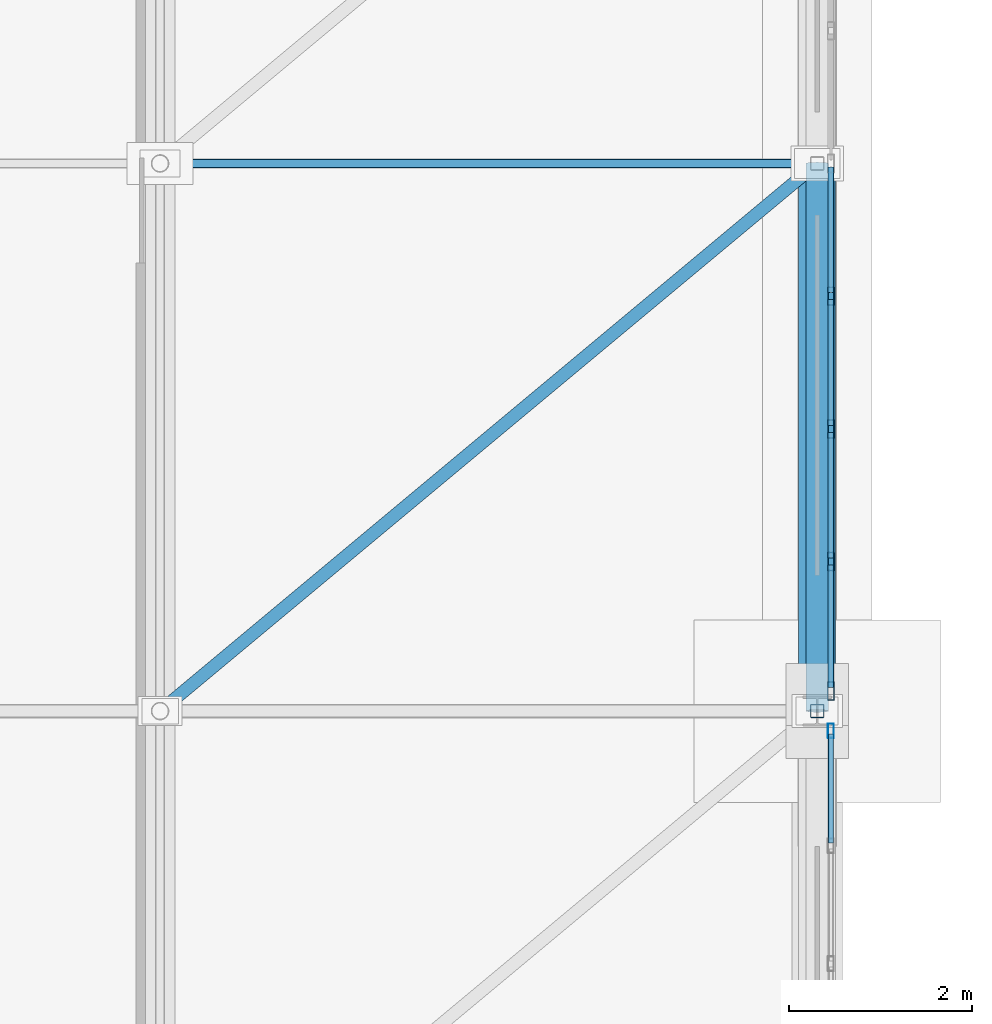
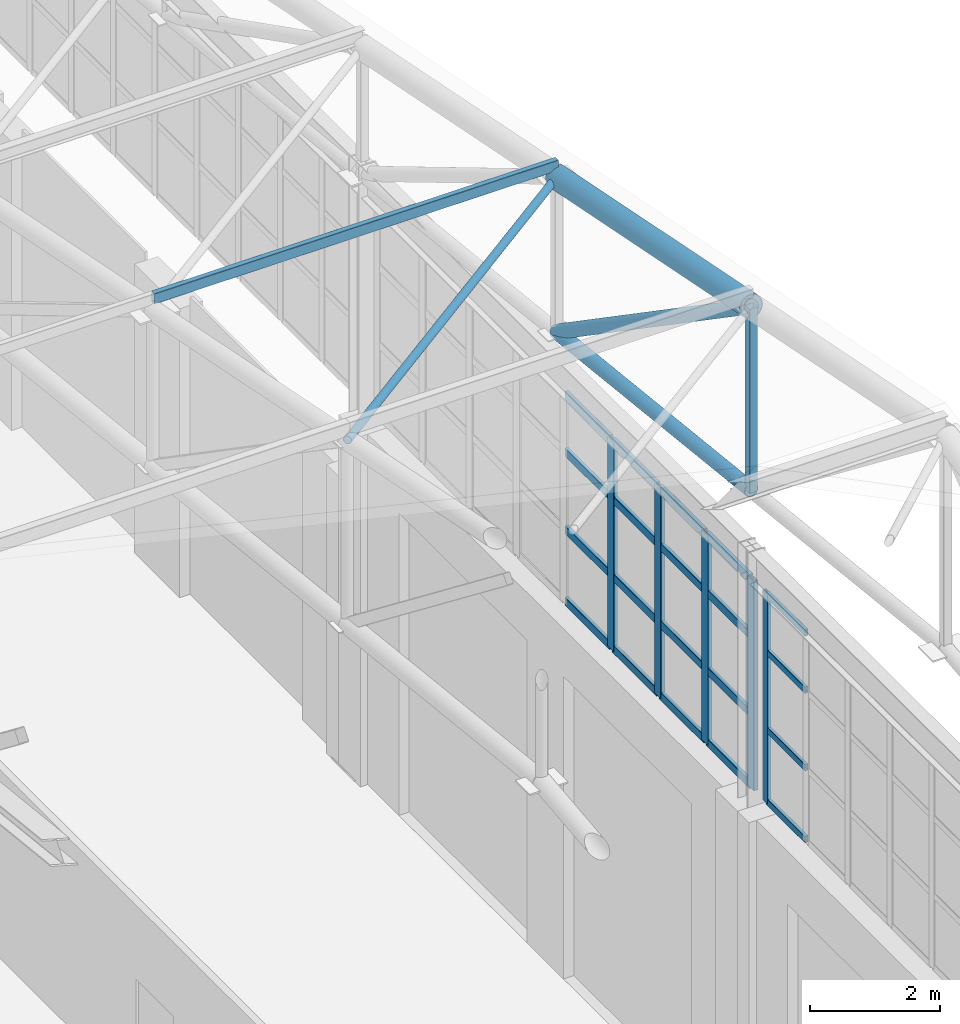
# One storey, part 195 of 293: 31 members, 2 elements without a shape of their own.
"""IFC4 building model written with IfcOpenShell, lengths in metres."""

from ifc_helpers import new_model, si_unit, direction, frame, origin, origin_2d, place, context, subcontext, project, spatial, hollow_rectangle, hollow_circle, extrude, material, layer, layer_set, material_profile, profile_set, type_object, element, aggregate, save


model = new_model("IFC4")

# Units and contexts
model_context = context("Model", 3, precision=1e-05, world=origin(), true_north=direction((0.0, 1.0)))
body_context = subcontext(model_context, "Body", "Model", "MODEL_VIEW")
ifc_project = project(units=[si_unit("LENGTHUNIT", "METRE"), si_unit("AREAUNIT", "SQUARE_METRE"), si_unit("VOLUMEUNIT", "CUBIC_METRE"), si_unit("PLANEANGLEUNIT", "RADIAN"), si_unit("MASSUNIT", "GRAM", prefix="KILO")], contexts=[model_context])

# Site, building, storey
site_placement = place(None, origin())
site = spatial("IfcSite", under=ifc_project, at=site_placement, CompositionType="ELEMENT")
building_placement = place(site_placement, origin())
building = spatial("IfcBuilding", under=site, at=building_placement, Name="Kemerveld Promenade Tramway Depot", CompositionType="ELEMENT")
storey_placement = place(building_placement, origin())
storey = spatial("IfcBuildingStorey", under=building, at=storey_placement, Name="L00", CompositionType="ELEMENT", Elevation=0.0)

# Curtain wall, member
ifc_material_1 = material(Name="Bronze anodised aluminium and solar glass", Category="aluminium")
ifc_layer_1 = layer(ifc_material_1, 0.159912109375)
ifc_layer_set_1 = layer_set([ifc_layer_1], Name="CW-SYS-13")
curtain_wall_type_1 = type_object("IfcCurtainWallType", Name="CW-SYS-13", PredefinedType="USERDEFINED", material=ifc_layer_set_1)
curtain_wall_1_placement = place(storey_placement, origin())
curtain_wall_1 = element("IfcCurtainWall", 1, at=curtain_wall_1_placement, inside=storey, type_object=curtain_wall_type_1, Name="CW-V1-E-03", ObjectType="GLAZED_CURTAIN_WALL", PredefinedType="USERDEFINED")
ifc_material_2 = material(Name="Bronze anodised aluminium", Category="aluminium")
ifc_material_profile_1 = material_profile(ifc_material_2, hollow_rectangle(XDim=0.06494140625, YDim=0.159912109375, WallThickness=0.00390625, InnerFilletRadius=0.001953125, OuterFilletRadius=0.00390625, at=origin_2d()), Name="CW-MUL-160x65")
ifc_profile_set_1 = profile_set([ifc_material_profile_1], Name="Bronze anodised aluminium")
member_type_1 = type_object("IfcMemberType", Name="CW-MUL-A", PredefinedType="MULLION", material=ifc_profile_set_1)
member_1_placement = place(storey_placement, frame((187.35009765625, 119.783935546875, 6.64990234375), z_axis=(0.0, 0.0, 1.0), x_axis=(1.0, 0.0, 0.0)))
member_1 = element("IfcMember", 2, at=member_1_placement, type_object=member_type_1, Name="CW13 mullion 1", PredefinedType="MULLION", context=body_context, shape_type="SweptSolid", body=[
    extrude(hollow_rectangle(XDim=0.06494140625, YDim=0.159912109375, WallThickness=0.00390625, InnerFilletRadius=0.001953125, OuterFilletRadius=0.00390625, at=origin_2d()), origin(), (0.0, 0.0, 1.0), 3.9501953125),
])

# Curtain wall, members
ifc_layer_2 = layer(ifc_material_1, 0.199951171875)
ifc_layer_set_2 = layer_set([ifc_layer_2], Name="CW-SYS-14")
curtain_wall_type_2 = type_object("IfcCurtainWallType", Name="CW-SYS-14", PredefinedType="USERDEFINED", material=ifc_layer_set_2)
curtain_wall_2_placement = place(storey_placement, origin())
curtain_wall_2 = element("IfcCurtainWall", 3, at=curtain_wall_2_placement, inside=storey, type_object=curtain_wall_type_2, Name="CW-V1-E-04", ObjectType="GLAZED_CURTAIN_WALL", PredefinedType="USERDEFINED")
ifc_material_profile_2 = material_profile(ifc_material_2, hollow_rectangle(XDim=0.074951171875, YDim=0.199951171875, WallThickness=0.0048828125, InnerFilletRadius=0.001953125, OuterFilletRadius=0.0048828125, at=origin_2d()), Name="CW-MUL-200x75")
ifc_profile_set_2 = profile_set([ifc_material_profile_2], Name="Bronze anodised aluminium")
member_type_2 = type_object("IfcMemberType", Name="CW-MUL-B", PredefinedType="MULLION", material=ifc_profile_set_2)
member_2_placement = place(storey_placement, frame((187.35009765625, 124.5458984375, 6.64990234375), z_axis=(0.0, 0.0, 1.0), x_axis=(1.0, 0.0, 0.0)))
member_2 = element("IfcMember", 4, at=member_2_placement, type_object=member_type_2, Name="CW14 mullion 6", PredefinedType="MULLION", context=body_context, shape_type="SweptSolid", body=[
    extrude(hollow_rectangle(XDim=0.074951171875, YDim=0.199951171875, WallThickness=0.0048828125, InnerFilletRadius=0.001953125, OuterFilletRadius=0.0048828125, at=origin_2d()), origin(), (0.0, 0.0, 1.0), 3.9501953125),
])
member_3_placement = place(storey_placement, frame((187.35009765625, 123.091796875, 6.64990234375), z_axis=(0.0, 0.0, 1.0), x_axis=(1.0, 0.0, 0.0)))
member_3 = element("IfcMember", 5, at=member_3_placement, type_object=member_type_2, Name="CW14 mullion 7", PredefinedType="MULLION", context=body_context, shape_type="SweptSolid", body=[
    extrude(hollow_rectangle(XDim=0.074951171875, YDim=0.199951171875, WallThickness=0.0048828125, InnerFilletRadius=0.001953125, OuterFilletRadius=0.0048828125, at=origin_2d()), origin(), (0.0, 0.0, 1.0), 3.9501953125),
])
member_4_placement = place(storey_placement, frame((187.35009765625, 121.6376953125, 6.64990234375), z_axis=(0.0, 0.0, 1.0), x_axis=(1.0, 0.0, 0.0)))
member_4 = element("IfcMember", 6, at=member_4_placement, type_object=member_type_2, Name="CW14 mullion 8", PredefinedType="MULLION", context=body_context, shape_type="SweptSolid", body=[
    extrude(hollow_rectangle(XDim=0.074951171875, YDim=0.199951171875, WallThickness=0.0048828125, InnerFilletRadius=0.001953125, OuterFilletRadius=0.0048828125, at=origin_2d()), origin(), (0.0, 0.0, 1.0), 3.9501953125),
])
member_5_placement = place(storey_placement, frame((187.35009765625, 120.220947265625, 6.64990234375), z_axis=(0.0, 0.0, 1.0), x_axis=(1.0, 0.0, 0.0)))
member_5 = element("IfcMember", 7, at=member_5_placement, type_object=member_type_2, Name="CW14 mullion 9", PredefinedType="MULLION", context=body_context, shape_type="SweptSolid", body=[
    extrude(hollow_rectangle(XDim=0.074951171875, YDim=0.199951171875, WallThickness=0.0048828125, InnerFilletRadius=0.001953125, OuterFilletRadius=0.0048828125, at=origin_2d()), origin(), (0.0, 0.0, 1.0), 3.9501953125),
])

# Member
ifc_material_profile_3 = material_profile(ifc_material_2, hollow_rectangle(XDim=0.06005859375, YDim=0.1201171875, WallThickness=0.00390625, InnerFilletRadius=0.001953125, OuterFilletRadius=0.00390625, at=origin_2d()), Name="CW-TRN-120x60")
ifc_profile_set_3 = profile_set([ifc_material_profile_3], Name="Bronze anodised aluminium")
member_type_3 = type_object("IfcMemberType", Name="CW-TRN-A", PredefinedType="USERDEFINED", material=ifc_profile_set_3)
member_6_placement = place(storey_placement, frame((187.35009765625, 119.75146484375, 6.679931640625), z_axis=(0.0, -1.0, 0.0), x_axis=(1.0, 0.0, 0.0)))
member_6 = element("IfcMember", 8, at=member_6_placement, type_object=member_type_3, Name="CW13 transom 1.1", ObjectType="TRANSOM", PredefinedType="USERDEFINED", context=body_context, shape_type="SweptSolid", body=[
    extrude(hollow_rectangle(XDim=0.06005859375, YDim=0.1201171875, WallThickness=0.00390625, InnerFilletRadius=0.001953125, OuterFilletRadius=0.00390625, at=origin_2d()), origin(), (0.0, 0.0, 1.0), 1.195068359375),
])

member_7_placement = place(storey_placement, frame((187.35009765625, 119.75146484375, 8.032958984375), z_axis=(0.0, -1.0, 0.0), x_axis=(1.0, 0.0, 0.0)))
member_7 = element("IfcMember", 9, at=member_7_placement, type_object=member_type_3, Name="CW13 transom 1.2", ObjectType="TRANSOM", PredefinedType="USERDEFINED", context=body_context, shape_type="SweptSolid", body=[
    extrude(hollow_rectangle(XDim=0.06005859375, YDim=0.1201171875, WallThickness=0.00390625, InnerFilletRadius=0.001953125, OuterFilletRadius=0.00390625, at=origin_2d()), origin(), (0.0, 0.0, 1.0), 1.195068359375),
])

member_8_placement = place(storey_placement, frame((187.35009765625, 119.75146484375, 9.493896484375), z_axis=(0.0, -1.0, 0.0), x_axis=(1.0, 0.0, 0.0)))
member_8 = element("IfcMember", 10, at=member_8_placement, type_object=member_type_3, Name="CW13 transom 1.3", ObjectType="TRANSOM", PredefinedType="USERDEFINED", context=body_context, shape_type="SweptSolid", body=[
    extrude(hollow_rectangle(XDim=0.06005859375, YDim=0.1201171875, WallThickness=0.00390625, InnerFilletRadius=0.001953125, OuterFilletRadius=0.00390625, at=origin_2d()), origin(), (0.0, 0.0, 1.0), 1.195068359375),
])

member_9_placement = place(storey_placement, frame((187.35009765625, 119.75146484375, 10.570068359375), z_axis=(0.0, -1.0, 0.0), x_axis=(1.0, 0.0, 0.0)))
member_9 = element("IfcMember", 11, at=member_9_placement, type_object=member_type_3, Name="CW13 transom 1.4", ObjectType="TRANSOM", PredefinedType="USERDEFINED", context=body_context, shape_type="SweptSolid", body=[
    extrude(hollow_rectangle(XDim=0.06005859375, YDim=0.1201171875, WallThickness=0.00390625, InnerFilletRadius=0.001953125, OuterFilletRadius=0.00390625, at=origin_2d()), origin(), (0.0, 0.0, 1.0), 1.195068359375),
])

aggregate(curtain_wall_1, [member_1, member_6, member_7, member_8, member_9])

ifc_material_profile_4 = material_profile(ifc_material_2, hollow_rectangle(XDim=0.06494140625, YDim=0.14990234375, WallThickness=0.00439453125, InnerFilletRadius=0.001953125, OuterFilletRadius=0.00439453125, at=origin_2d()), Name="CW-TRN-150x65")
ifc_profile_set_4 = profile_set([ifc_material_profile_4], Name="Bronze anodised aluminium")
member_type_4 = type_object("IfcMemberType", Name="CW-TRN-B", PredefinedType="USERDEFINED", material=ifc_profile_set_4)
member_10_placement = place(storey_placement, frame((187.35009765625, 125.96240234375, 6.6826171875), z_axis=(0.0, -1.0, 0.0), x_axis=(1.0, 0.0, 0.0)))
member_10 = element("IfcMember", 12, at=member_10_placement, type_object=member_type_4, Name="CW14 transom 5.1", ObjectType="TRANSOM", PredefinedType="USERDEFINED", context=body_context, shape_type="SweptSolid", body=[
    extrude(hollow_rectangle(XDim=0.06494140625, YDim=0.14990234375, WallThickness=0.00439453125, InnerFilletRadius=0.001953125, OuterFilletRadius=0.00439453125, at=origin_2d()), origin(), (0.0, 0.0, 1.0), 1.37890625),
])

member_11_placement = place(storey_placement, frame((187.35009765625, 125.96240234375, 8.032958984375), z_axis=(0.0, -1.0, 0.0), x_axis=(1.0, 0.0, 0.0)))
member_11 = element("IfcMember", 13, at=member_11_placement, type_object=member_type_4, Name="CW14 transom 5.2", ObjectType="TRANSOM", PredefinedType="USERDEFINED", context=body_context, shape_type="SweptSolid", body=[
    extrude(hollow_rectangle(XDim=0.06494140625, YDim=0.14990234375, WallThickness=0.00439453125, InnerFilletRadius=0.001953125, OuterFilletRadius=0.00439453125, at=origin_2d()), origin(), (0.0, 0.0, 1.0), 1.37890625),
])

member_12_placement = place(storey_placement, frame((187.35009765625, 125.96240234375, 9.493896484375), z_axis=(0.0, -1.0, 0.0), x_axis=(1.0, 0.0, 0.0)))
member_12 = element("IfcMember", 14, at=member_12_placement, type_object=member_type_4, Name="CW14 transom 5.3", ObjectType="TRANSOM", PredefinedType="USERDEFINED", context=body_context, shape_type="SweptSolid", body=[
    extrude(hollow_rectangle(XDim=0.06494140625, YDim=0.14990234375, WallThickness=0.00439453125, InnerFilletRadius=0.001953125, OuterFilletRadius=0.00439453125, at=origin_2d()), origin(), (0.0, 0.0, 1.0), 1.37890625),
])

member_13_placement = place(storey_placement, frame((187.35009765625, 125.96240234375, 10.5673828125), z_axis=(0.0, -1.0, 0.0), x_axis=(1.0, 0.0, 0.0)))
member_13 = element("IfcMember", 15, at=member_13_placement, type_object=member_type_4, Name="CW14 transom 5.4", ObjectType="TRANSOM", PredefinedType="USERDEFINED", context=body_context, shape_type="SweptSolid", body=[
    extrude(hollow_rectangle(XDim=0.06494140625, YDim=0.14990234375, WallThickness=0.00439453125, InnerFilletRadius=0.001953125, OuterFilletRadius=0.00439453125, at=origin_2d()), origin(), (0.0, 0.0, 1.0), 1.37890625),
])

member_14_placement = place(storey_placement, frame((187.35009765625, 124.50830078125, 6.6826171875), z_axis=(0.0, -1.0, 0.0), x_axis=(1.0, 0.0, 0.0)))
member_14 = element("IfcMember", 16, at=member_14_placement, type_object=member_type_4, Name="CW14 transom 6.1", ObjectType="TRANSOM", PredefinedType="USERDEFINED", context=body_context, shape_type="SweptSolid", body=[
    extrude(hollow_rectangle(XDim=0.06494140625, YDim=0.14990234375, WallThickness=0.00439453125, InnerFilletRadius=0.001953125, OuterFilletRadius=0.00439453125, at=origin_2d()), origin(), (0.0, 0.0, 1.0), 1.379150390625),
])

member_15_placement = place(storey_placement, frame((187.35009765625, 124.50830078125, 8.032958984375), z_axis=(0.0, -1.0, 0.0), x_axis=(1.0, 0.0, 0.0)))
member_15 = element("IfcMember", 17, at=member_15_placement, type_object=member_type_4, Name="CW14 transom 6.2", ObjectType="TRANSOM", PredefinedType="USERDEFINED", context=body_context, shape_type="SweptSolid", body=[
    extrude(hollow_rectangle(XDim=0.06494140625, YDim=0.14990234375, WallThickness=0.00439453125, InnerFilletRadius=0.001953125, OuterFilletRadius=0.00439453125, at=origin_2d()), origin(), (0.0, 0.0, 1.0), 1.379150390625),
])

member_16_placement = place(storey_placement, frame((187.35009765625, 124.50830078125, 9.493896484375), z_axis=(0.0, -1.0, 0.0), x_axis=(1.0, 0.0, 0.0)))
member_16 = element("IfcMember", 18, at=member_16_placement, type_object=member_type_4, Name="CW14 transom 6.3", ObjectType="TRANSOM", PredefinedType="USERDEFINED", context=body_context, shape_type="SweptSolid", body=[
    extrude(hollow_rectangle(XDim=0.06494140625, YDim=0.14990234375, WallThickness=0.00439453125, InnerFilletRadius=0.001953125, OuterFilletRadius=0.00439453125, at=origin_2d()), origin(), (0.0, 0.0, 1.0), 1.379150390625),
])

member_17_placement = place(storey_placement, frame((187.35009765625, 124.50830078125, 10.5673828125), z_axis=(0.0, -1.0, 0.0), x_axis=(1.0, 0.0, 0.0)))
member_17 = element("IfcMember", 19, at=member_17_placement, type_object=member_type_4, Name="CW14 transom 6.4", ObjectType="TRANSOM", PredefinedType="USERDEFINED", context=body_context, shape_type="SweptSolid", body=[
    extrude(hollow_rectangle(XDim=0.06494140625, YDim=0.14990234375, WallThickness=0.00439453125, InnerFilletRadius=0.001953125, OuterFilletRadius=0.00439453125, at=origin_2d()), origin(), (0.0, 0.0, 1.0), 1.379150390625),
])

member_18_placement = place(storey_placement, frame((187.35009765625, 123.05419921875, 6.6826171875), z_axis=(0.0, -1.0, 0.0), x_axis=(1.0, 0.0, 0.0)))
member_18 = element("IfcMember", 20, at=member_18_placement, type_object=member_type_4, Name="CW14 transom 7.1", ObjectType="TRANSOM", PredefinedType="USERDEFINED", context=body_context, shape_type="SweptSolid", body=[
    extrude(hollow_rectangle(XDim=0.06494140625, YDim=0.14990234375, WallThickness=0.00439453125, InnerFilletRadius=0.001953125, OuterFilletRadius=0.00439453125, at=origin_2d()), origin(), (0.0, 0.0, 1.0), 1.379150390625),
])

member_19_placement = place(storey_placement, frame((187.35009765625, 123.05419921875, 8.032958984375), z_axis=(0.0, -1.0, 0.0), x_axis=(1.0, 0.0, 0.0)))
member_19 = element("IfcMember", 21, at=member_19_placement, type_object=member_type_4, Name="CW14 transom 7.2", ObjectType="TRANSOM", PredefinedType="USERDEFINED", context=body_context, shape_type="SweptSolid", body=[
    extrude(hollow_rectangle(XDim=0.06494140625, YDim=0.14990234375, WallThickness=0.00439453125, InnerFilletRadius=0.001953125, OuterFilletRadius=0.00439453125, at=origin_2d()), origin(), (0.0, 0.0, 1.0), 1.379150390625),
])

member_20_placement = place(storey_placement, frame((187.35009765625, 123.05419921875, 9.493896484375), z_axis=(0.0, -1.0, 0.0), x_axis=(1.0, 0.0, 0.0)))
member_20 = element("IfcMember", 22, at=member_20_placement, type_object=member_type_4, Name="CW14 transom 7.3", ObjectType="TRANSOM", PredefinedType="USERDEFINED", context=body_context, shape_type="SweptSolid", body=[
    extrude(hollow_rectangle(XDim=0.06494140625, YDim=0.14990234375, WallThickness=0.00439453125, InnerFilletRadius=0.001953125, OuterFilletRadius=0.00439453125, at=origin_2d()), origin(), (0.0, 0.0, 1.0), 1.379150390625),
])

member_21_placement = place(storey_placement, frame((187.35009765625, 123.05419921875, 10.5673828125), z_axis=(0.0, -1.0, 0.0), x_axis=(1.0, 0.0, 0.0)))
member_21 = element("IfcMember", 23, at=member_21_placement, type_object=member_type_4, Name="CW14 transom 7.4", ObjectType="TRANSOM", PredefinedType="USERDEFINED", context=body_context, shape_type="SweptSolid", body=[
    extrude(hollow_rectangle(XDim=0.06494140625, YDim=0.14990234375, WallThickness=0.00439453125, InnerFilletRadius=0.001953125, OuterFilletRadius=0.00439453125, at=origin_2d()), origin(), (0.0, 0.0, 1.0), 1.379150390625),
])

member_22_placement = place(storey_placement, frame((187.35009765625, 121.60009765625, 6.6826171875), z_axis=(0.0, -1.0, 0.0), x_axis=(1.0, 0.0, 0.0)))
member_22 = element("IfcMember", 24, at=member_22_placement, type_object=member_type_4, Name="CW14 transom 8.1", ObjectType="TRANSOM", PredefinedType="USERDEFINED", context=body_context, shape_type="SweptSolid", body=[
    extrude(hollow_rectangle(XDim=0.06494140625, YDim=0.14990234375, WallThickness=0.00439453125, InnerFilletRadius=0.001953125, OuterFilletRadius=0.00439453125, at=origin_2d()), origin(), (0.0, 0.0, 1.0), 1.341552734375),
])

member_23_placement = place(storey_placement, frame((187.35009765625, 121.60009765625, 8.032958984375), z_axis=(0.0, -1.0, 0.0), x_axis=(1.0, 0.0, 0.0)))
member_23 = element("IfcMember", 25, at=member_23_placement, type_object=member_type_4, Name="CW14 transom 8.2", ObjectType="TRANSOM", PredefinedType="USERDEFINED", context=body_context, shape_type="SweptSolid", body=[
    extrude(hollow_rectangle(XDim=0.06494140625, YDim=0.14990234375, WallThickness=0.00439453125, InnerFilletRadius=0.001953125, OuterFilletRadius=0.00439453125, at=origin_2d()), origin(), (0.0, 0.0, 1.0), 1.341552734375),
])

member_24_placement = place(storey_placement, frame((187.35009765625, 121.60009765625, 9.493896484375), z_axis=(0.0, -1.0, 0.0), x_axis=(1.0, 0.0, 0.0)))
member_24 = element("IfcMember", 26, at=member_24_placement, type_object=member_type_4, Name="CW14 transom 8.3", ObjectType="TRANSOM", PredefinedType="USERDEFINED", context=body_context, shape_type="SweptSolid", body=[
    extrude(hollow_rectangle(XDim=0.06494140625, YDim=0.14990234375, WallThickness=0.00439453125, InnerFilletRadius=0.001953125, OuterFilletRadius=0.00439453125, at=origin_2d()), origin(), (0.0, 0.0, 1.0), 1.341552734375),
])

member_25_placement = place(storey_placement, frame((187.35009765625, 121.60009765625, 10.5673828125), z_axis=(0.0, -1.0, 0.0), x_axis=(1.0, 0.0, 0.0)))
member_25 = element("IfcMember", 27, at=member_25_placement, type_object=member_type_4, Name="CW14 transom 8.4", ObjectType="TRANSOM", PredefinedType="USERDEFINED", context=body_context, shape_type="SweptSolid", body=[
    extrude(hollow_rectangle(XDim=0.06494140625, YDim=0.14990234375, WallThickness=0.00439453125, InnerFilletRadius=0.001953125, OuterFilletRadius=0.00439453125, at=origin_2d()), origin(), (0.0, 0.0, 1.0), 1.341552734375),
])

aggregate(curtain_wall_2, [member_2, member_3, member_4, member_5, member_10, member_11, member_12, member_13, member_14, member_15, member_16, member_17, member_18, member_19, member_20, member_21, member_22, member_23, member_24, member_25])

# Members
ifc_material_3 = material(Name="Steel S355", Category="steel")
ifc_material_profile_5 = material_profile(ifc_material_3, hollow_rectangle(XDim=0.10009765625, YDim=0.199951171875, WallThickness=0.008056640625, InnerFilletRadius=0.00390625, OuterFilletRadius=0.011962890625, at=origin_2d()), Name="200x100x8.0 RHS")
ifc_profile_set_5 = profile_set([ifc_material_profile_5], Name="Steel S355")
member_type_5 = type_object("IfcMemberType", Name="MB-PR2", PredefinedType="PURLIN", material=ifc_profile_set_5)
member_26_placement = place(storey_placement, frame((180.0, 126.0, 14.945068359375), z_axis=(1.0, 0.0, 0.0), x_axis=(0.0, 1.0, 0.0)))
element("IfcMember", 28, at=member_26_placement, inside=storey, type_object=member_type_5, Name="PUR-V1-07-26", PredefinedType="PURLIN", context=body_context, shape_type="SweptSolid", body=[
    extrude(hollow_rectangle(XDim=0.10009765625, YDim=0.199951171875, WallThickness=0.008056640625, InnerFilletRadius=0.00390625, OuterFilletRadius=0.011962890625, at=origin_2d()), origin(), (0.0, 0.0, 1.0), 7.199951171875),
])
ifc_material_profile_6 = material_profile(ifc_material_3, hollow_circle(Radius=0.122314453125, WallThickness=0.010009765625, at=origin_2d()), Name="244.5x10.0 CHS")
ifc_profile_set_6 = profile_set([ifc_material_profile_6], Name="Steel S355")
member_type_6 = type_object("IfcMemberType", Name="MB-TB1", PredefinedType="BRACE", material=ifc_profile_set_6)
member_27_placement = place(storey_placement, frame((187.199951171875, 126.0, 11.780029296875), z_axis=(0.0, -0.824370638462, 0.566050395673), x_axis=(1.0, 0.0, 0.0)))
element("IfcMember", 29, at=member_27_placement, inside=storey, type_object=member_type_6, Name="TR-27-DG-07", PredefinedType="BRACE", context=body_context, shape_type="SweptSolid", body=[
    extrude(hollow_circle(Radius=0.122314453125, WallThickness=0.010009765625, at=origin_2d()), origin(), (0.0, 0.0, 1.0), 7.2783203125),
])
ifc_material_profile_7 = material_profile(ifc_material_3, hollow_circle(Radius=0.06982421875, WallThickness=0.00634765625, at=origin_2d()), Name="139.7x6.3 CHS")
ifc_profile_set_7 = profile_set([ifc_material_profile_7], Name="Steel S355")
member_type_7 = type_object("IfcMemberType", Name="MB-TB3", PredefinedType="BRACE", material=ifc_profile_set_7)
member_28_placement = place(storey_placement, frame((180.0, 120.0, 15.89990234375), z_axis=(0.761999094998, 0.635003552225, -0.126995542773), x_axis=(-0.640186961885, 0.768219144407, 0.0)))
element("IfcMember", 30, at=member_28_placement, inside=storey, type_object=member_type_7, Name="RBR-V1-06-26", PredefinedType="BRACE", context=body_context, shape_type="SweptSolid", body=[
    extrude(hollow_circle(Radius=0.06982421875, WallThickness=0.00634765625, at=origin_2d()), origin(), (0.0, 0.0, 1.0), 9.44873046875),
])
ifc_material_profile_8 = material_profile(ifc_material_3, hollow_circle(Radius=0.203125, WallThickness=0.01611328125, at=origin_2d()), Name="406.4x16.0 CHS")
ifc_profile_set_8 = profile_set([ifc_material_profile_8], Name="Steel S355")
member_type_8 = type_object("IfcMemberType", Name="MB-TC1", PredefinedType="CHORD", material=ifc_profile_set_8)
member_29_placement = place(storey_placement, frame((187.199951171875, 120.0, 15.89990234375), z_axis=(0.0, 0.980582210276, -0.196108462057), x_axis=(-1.0, 0.0, 0.0)))
element("IfcMember", 31, at=member_29_placement, inside=storey, type_object=member_type_8, Name="TR-27-TC-07", PredefinedType="CHORD", context=body_context, shape_type="SweptSolid", body=[
    extrude(hollow_circle(Radius=0.203125, WallThickness=0.01611328125, at=origin_2d()), origin(), (0.0, 0.0, 1.0), 6.118896484375),
])
ifc_material_profile_9 = material_profile(ifc_material_3, hollow_circle(Radius=0.122314453125, WallThickness=0.010009765625, at=origin_2d()), Name="244.5x10.0 CHS")
ifc_profile_set_9 = profile_set([ifc_material_profile_9], Name="Steel S355")
member_type_9 = type_object("IfcMemberType", Name="MB-TC3", PredefinedType="CHORD", material=ifc_profile_set_9)
member_30_placement = place(storey_placement, frame((187.199951171875, 120.0, 12.43994140625), z_axis=(0.0, 0.994005938353, -0.109326092585), x_axis=(-1.0, 0.0, 0.0)))
element("IfcMember", 32, at=member_30_placement, inside=storey, type_object=member_type_9, Name="TR-27-BC-07", PredefinedType="CHORD", context=body_context, shape_type="SweptSolid", body=[
    extrude(hollow_circle(Radius=0.122314453125, WallThickness=0.010009765625, at=origin_2d()), origin(), (0.0, 0.0, 1.0), 6.0361328125),
])
ifc_material_profile_10 = material_profile(ifc_material_3, hollow_rectangle(XDim=0.14990234375, YDim=0.14990234375, WallThickness=0.008056640625, InnerFilletRadius=0.00390625, OuterFilletRadius=0.011962890625, at=origin_2d()), Name="150x150x8.0 SHS")
ifc_profile_set_10 = profile_set([ifc_material_profile_10], Name="Steel S355")
member_type_10 = type_object("IfcMemberType", Name="MB-TP2", PredefinedType="POST", material=ifc_profile_set_10)
member_31_placement = place(storey_placement, frame((187.199951171875, 120.0, 12.43994140625), z_axis=(0.0, 0.0, 1.0), x_axis=(1.0, 0.0, 0.0)))
element("IfcMember", 33, at=member_31_placement, inside=storey, type_object=member_type_10, Name="TR-27-VT-06", PredefinedType="POST", context=body_context, shape_type="SweptSolid", body=[
    extrude(hollow_rectangle(XDim=0.14990234375, YDim=0.14990234375, WallThickness=0.008056640625, InnerFilletRadius=0.00390625, OuterFilletRadius=0.011962890625, at=origin_2d()), origin(), (0.0, 0.0, 1.0), 3.4599609375),
])

save(model, "model.ifc")
